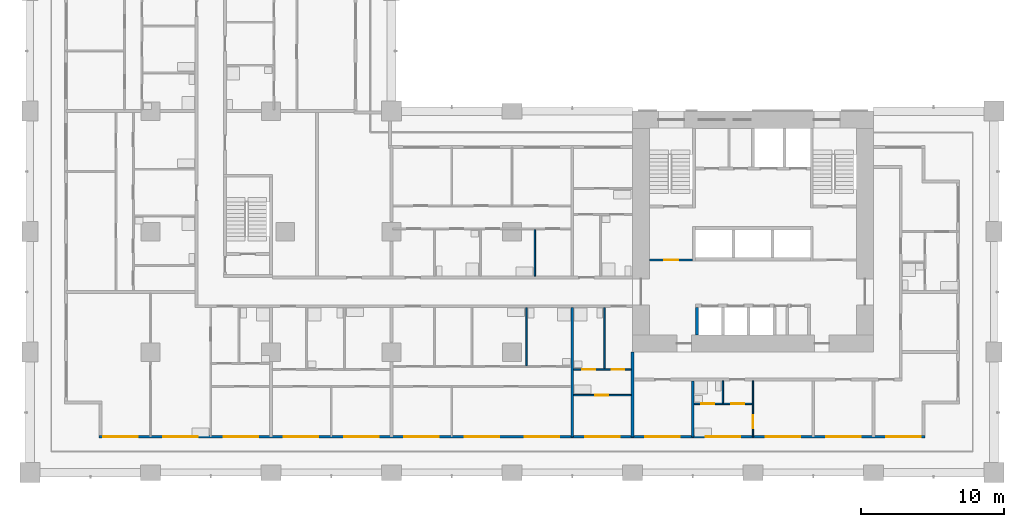
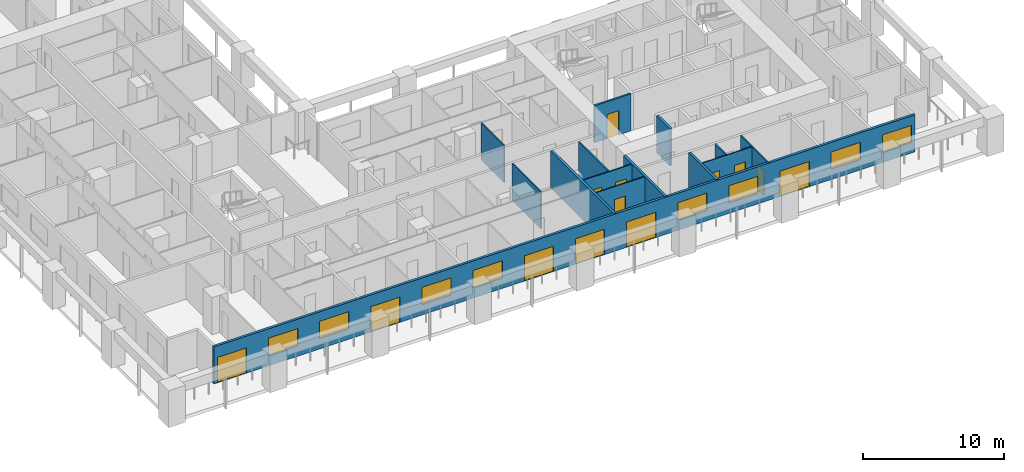
# One storey, part 5 of 19: 14 walls, 13 doors, 8 windows, 21 openings.
"""IFC4 building model written with IfcOpenShell, lengths in metres."""

from ifc_helpers import new_model, si_unit, direction, frame, frame_2d, origin, place, context, subcontext, project, spatial, rectangle, extrude, material, layer, layer_set, type_object, element, fill, save


model = new_model("IFC4")

# Units and contexts
model_context = context("Model", 3, precision=1e-05, world=origin(), true_north=direction((0.0, 1.0)))
body_context = subcontext(model_context, "Body", "Model", "MODEL_VIEW")
ifc_project = project(units=[si_unit("LENGTHUNIT", "METRE"), si_unit("AREAUNIT", "SQUARE_METRE"), si_unit("VOLUMEUNIT", "CUBIC_METRE"), si_unit("PLANEANGLEUNIT", "RADIAN"), si_unit("MASSUNIT", "GRAM", prefix="KILO")], contexts=[model_context])

# Site, building, storey
site_placement = place(None, origin())
site = spatial("IfcSite", under=ifc_project, at=site_placement, CompositionType="ELEMENT")
building_placement = place(site_placement, origin())
building = spatial("IfcBuilding", under=site, at=building_placement, Name="Vermilion Gate Residences", CompositionType="ELEMENT")
storey_placement = place(building_placement, frame((0.0, 0.0, 49.699951171875)))
storey = spatial("IfcBuildingStorey", under=building, at=storey_placement, Name="L11", CompositionType="ELEMENT", Elevation=49.699951171875)

# Wall, opening, door
ifc_material_1 = material(Name="Masonry blockwork", Category="masonry")
ifc_layer_1 = layer(ifc_material_1, 0.14990234375)
ifc_layer_set_1 = layer_set([ifc_layer_1], Name="BLOCKWORK PARTITION 150 EI 120")
wall_type_1 = type_object("IfcWallType", Name="BLOCKWORK PARTITION 150 EI 120", PredefinedType="PARTITIONING", material=ifc_layer_set_1)
wall_1_placement = place(storey_placement, frame((43.199951171875, 14.824951171875, 0.0), z_axis=(0.0, 0.0, 1.0), x_axis=(1.0, 0.0, 0.0)))
wall_1 = element("IfcWall", 1, at=wall_1_placement, inside=storey, type_object=wall_type_1, Name="Core room partition A11-VW-S", PredefinedType="PARTITIONING", context=body_context, shape_type="SweptSolid", body=[
    extrude(rectangle(XDim=3.0, YDim=0.14990234375, at=frame_2d((1.5, 0.0))), origin(), (0.0, 0.0, 1.0), 3.219970703125),
])
opening_1_placement = place(wall_1_placement, frame((1.0, 0.0, 0.0)))
opening_1 = element("IfcOpeningElement", 2, at=opening_1_placement, cuts=wall_1, Name="Opening DK11014", PredefinedType="OPENING", context=body_context, shape_type="SweptSolid", body=[
    extrude(rectangle(XDim=1.0, YDim=2.10009765625, at=frame_2d((0.5, 1.050048828125))), frame((0.0, 0.0849609375, 0.0), z_axis=(0.0, -1.0, 0.0), x_axis=(1.0, 0.0, 0.0)), (0.0, 0.0, 1.0), 0.169921875),
])
ifc_material_2 = material(Name="Steel", Category="steel")
door_type_1 = type_object("IfcDoorType", Name="FIRE DOOR FD60 1000 X 2100", OperationType="SINGLE_SWING_LEFT", PredefinedType="DOOR", material=ifc_material_2)
door_1_placement = place(opening_1_placement, frame((1.0, 0.0, 0.0), z_axis=(0.0, 0.0, 1.0), x_axis=(-1.0, 0.0, 0.0)))
door_1 = element("IfcDoor", 3, at=door_1_placement, inside=storey, type_object=door_type_1, Name="Stair vestibule door A11", OperationType="SINGLE_SWING_RIGHT", OverallHeight=2.10009765625, OverallWidth=1.0, PredefinedType="DOOR", context=body_context, shape_type="SweptSolid", body=[
    extrude(rectangle(XDim=1.0, YDim=2.10009765625, at=frame_2d((0.5, 1.050048828125))), frame((0.0, 0.02490234375, 0.0), z_axis=(0.0, -1.0, 0.0), x_axis=(1.0, 0.0, 0.0)), (0.0, 0.0, 1.0), 0.050048828125),
])
fill(opening_1, door_1)

# Wall, openings, doors, windows
ifc_material_3 = material(Name="Insulated steel stud wall with terracotta rainscreen", Category="masonry")
ifc_layer_2 = layer(ifc_material_3, 0.199951171875)
ifc_layer_set_2 = layer_set([ifc_layer_2], Name="EXTERNAL WALL 200 TERRACOTTA RAINSCREEN")
wall_type_2 = type_object("IfcWallType", Name="EXTERNAL WALL 200 TERRACOTTA RAINSCREEN", PredefinedType="SOLIDWALL", material=ifc_layer_set_2)
wall_2_placement = place(storey_placement, frame((4.800048828125, 2.5, 0.0), z_axis=(0.0, 0.0, 1.0), x_axis=(1.0, 0.0, 0.0)))
wall_2 = element("IfcWall", 4, at=wall_2_placement, inside=storey, type_object=wall_type_2, Name="External wall", PredefinedType="SOLIDWALL", context=body_context, shape_type="SweptSolid", body=[
    extrude(rectangle(XDim=57.599853515625, YDim=0.199951171875, at=frame_2d((28.7998046875, 0.0))), origin(), (0.0, 0.0, 1.0), 3.219970703125),
])
opening_2_placement = place(wall_2_placement, frame((0.300048828125, 0.0, 0.0)))
opening_2 = element("IfcOpeningElement", 5, at=opening_2_placement, cuts=wall_2, Name="Opening DE11014", PredefinedType="OPENING", context=body_context, shape_type="SweptSolid", body=[
    extrude(rectangle(XDim=2.39990234375, YDim=2.199951171875, at=frame_2d((1.199951171875, 1.10009765625))), frame((0.0, 0.10986328125, 0.0), z_axis=(0.0, -1.0, 0.0), x_axis=(1.0, 0.0, 0.0)), (0.0, 0.0, 1.0), 0.219970703125),
])
opening_3_placement = place(wall_2_placement, frame((4.5, 0.0, 0.89990234375)))
opening_3 = element("IfcOpeningElement", 6, at=opening_3_placement, cuts=wall_2, Name="Opening WE11015", PredefinedType="OPENING", context=body_context, shape_type="SweptSolid", body=[
    extrude(rectangle(XDim=2.39990234375, YDim=1.5, at=frame_2d((1.199951171875, 0.75))), frame((0.0, 0.10986328125, 0.0), z_axis=(0.0, -1.0, 0.0), x_axis=(1.0, 0.0, 0.0)), (0.0, 0.0, 1.0), 0.219970703125),
])
opening_4_placement = place(wall_2_placement, frame((8.699951171875, 0.0, 0.89990234375)))
opening_4 = element("IfcOpeningElement", 7, at=opening_4_placement, cuts=wall_2, Name="Opening WE11016", PredefinedType="OPENING", context=body_context, shape_type="SweptSolid", body=[
    extrude(rectangle(XDim=2.39990234375, YDim=1.5, at=frame_2d((1.199951171875, 0.75))), frame((0.0, 0.10986328125, 0.0), z_axis=(0.0, -1.0, 0.0), x_axis=(1.0, 0.0, 0.0)), (0.0, 0.0, 1.0), 0.219970703125),
])
opening_5_placement = place(wall_2_placement, frame((12.89990234375, 0.0, 0.0)))
opening_5 = element("IfcOpeningElement", 8, at=opening_5_placement, cuts=wall_2, Name="Opening DE11017", PredefinedType="OPENING", context=body_context, shape_type="SweptSolid", body=[
    extrude(rectangle(XDim=2.39990234375, YDim=2.199951171875, at=frame_2d((1.199951171875, 1.10009765625))), frame((0.0, 0.10986328125, 0.0), z_axis=(0.0, -1.0, 0.0), x_axis=(1.0, 0.0, 0.0)), (0.0, 0.0, 1.0), 0.219970703125),
])
opening_6_placement = place(wall_2_placement, frame((17.10009765625, 0.0, 0.89990234375)))
opening_6 = element("IfcOpeningElement", 9, at=opening_6_placement, cuts=wall_2, Name="Opening WE11018", PredefinedType="OPENING", context=body_context, shape_type="SweptSolid", body=[
    extrude(rectangle(XDim=2.39990234375, YDim=1.5, at=frame_2d((1.199951171875, 0.75))), frame((0.0, 0.10986328125, 0.0), z_axis=(0.0, -1.0, 0.0), x_axis=(1.0, 0.0, 0.0)), (0.0, 0.0, 1.0), 0.219970703125),
])
opening_7_placement = place(wall_2_placement, frame((21.300048828125, 0.0, 0.89990234375)))
opening_7 = element("IfcOpeningElement", 10, at=opening_7_placement, cuts=wall_2, Name="Opening WE11019", PredefinedType="OPENING", context=body_context, shape_type="SweptSolid", body=[
    extrude(rectangle(XDim=2.39990234375, YDim=1.5, at=frame_2d((1.199951171875, 0.75))), frame((0.0, 0.10986328125, 0.0), z_axis=(0.0, -1.0, 0.0), x_axis=(1.0, 0.0, 0.0)), (0.0, 0.0, 1.0), 0.219970703125),
])
opening_8_placement = place(wall_2_placement, frame((25.5, 0.0, 0.0)))
opening_8 = element("IfcOpeningElement", 11, at=opening_8_placement, cuts=wall_2, Name="Opening DE11020", PredefinedType="OPENING", context=body_context, shape_type="SweptSolid", body=[
    extrude(rectangle(XDim=2.39990234375, YDim=2.199951171875, at=frame_2d((1.199951171875, 1.10009765625))), frame((0.0, 0.10986328125, 0.0), z_axis=(0.0, -1.0, 0.0), x_axis=(1.0, 0.0, 0.0)), (0.0, 0.0, 1.0), 0.219970703125),
])
opening_9_placement = place(wall_2_placement, frame((29.699951171875, 0.0, 0.0)))
opening_9 = element("IfcOpeningElement", 12, at=opening_9_placement, cuts=wall_2, Name="Opening DE11021", PredefinedType="OPENING", context=body_context, shape_type="SweptSolid", body=[
    extrude(rectangle(XDim=2.39990234375, YDim=2.199951171875, at=frame_2d((1.199951171875, 1.10009765625))), frame((0.0, 0.10986328125, 0.0), z_axis=(0.0, -1.0, 0.0), x_axis=(1.0, 0.0, 0.0)), (0.0, 0.0, 1.0), 0.219970703125),
])
opening_10_placement = place(wall_2_placement, frame((33.89990234375, 0.0, 0.0)))
opening_10 = element("IfcOpeningElement", 13, at=opening_10_placement, cuts=wall_2, Name="Opening DE11022", PredefinedType="OPENING", context=body_context, shape_type="SweptSolid", body=[
    extrude(rectangle(XDim=2.39990234375, YDim=2.199951171875, at=frame_2d((1.199951171875, 1.10009765625))), frame((0.0, 0.10986328125, 0.0), z_axis=(0.0, -1.0, 0.0), x_axis=(1.0, 0.0, 0.0)), (0.0, 0.0, 1.0), 0.219970703125),
])
opening_11_placement = place(wall_2_placement, frame((38.10009765625, 0.0, 0.89990234375)))
opening_11 = element("IfcOpeningElement", 14, at=opening_11_placement, cuts=wall_2, Name="Opening WE11023", PredefinedType="OPENING", context=body_context, shape_type="SweptSolid", body=[
    extrude(rectangle(XDim=2.39990234375, YDim=1.5, at=frame_2d((1.199951171875, 0.75))), frame((0.0, 0.10986328125, 0.0), z_axis=(0.0, -1.0, 0.0), x_axis=(1.0, 0.0, 0.0)), (0.0, 0.0, 1.0), 0.219970703125),
])
opening_12_placement = place(wall_2_placement, frame((42.300048828125, 0.0, 0.89990234375)))
opening_12 = element("IfcOpeningElement", 15, at=opening_12_placement, cuts=wall_2, Name="Opening WE11024", PredefinedType="OPENING", context=body_context, shape_type="SweptSolid", body=[
    extrude(rectangle(XDim=2.39990234375, YDim=1.5, at=frame_2d((1.199951171875, 0.75))), frame((0.0, 0.10986328125, 0.0), z_axis=(0.0, -1.0, 0.0), x_axis=(1.0, 0.0, 0.0)), (0.0, 0.0, 1.0), 0.219970703125),
])
opening_13_placement = place(wall_2_placement, frame((46.5, 0.0, 0.0)))
opening_13 = element("IfcOpeningElement", 16, at=opening_13_placement, cuts=wall_2, Name="Opening DE11025", PredefinedType="OPENING", context=body_context, shape_type="SweptSolid", body=[
    extrude(rectangle(XDim=2.39990234375, YDim=2.199951171875, at=frame_2d((1.199951171875, 1.10009765625))), frame((0.0, 0.10986328125, 0.0), z_axis=(0.0, -1.0, 0.0), x_axis=(1.0, 0.0, 0.0)), (0.0, 0.0, 1.0), 0.219970703125),
])
opening_14_placement = place(wall_2_placement, frame((50.699951171875, 0.0, 0.89990234375)))
opening_14 = element("IfcOpeningElement", 17, at=opening_14_placement, cuts=wall_2, Name="Opening WE11026", PredefinedType="OPENING", context=body_context, shape_type="SweptSolid", body=[
    extrude(rectangle(XDim=2.39990234375, YDim=1.5, at=frame_2d((1.199951171875, 0.75))), frame((0.0, 0.10986328125, 0.0), z_axis=(0.0, -1.0, 0.0), x_axis=(1.0, 0.0, 0.0)), (0.0, 0.0, 1.0), 0.219970703125),
])
opening_15_placement = place(wall_2_placement, frame((54.89990234375, 0.0, 0.89990234375)))
opening_15 = element("IfcOpeningElement", 18, at=opening_15_placement, cuts=wall_2, Name="Opening WE11027", PredefinedType="OPENING", context=body_context, shape_type="SweptSolid", body=[
    extrude(rectangle(XDim=2.39990234375, YDim=1.5, at=frame_2d((1.199951171875, 0.75))), frame((0.0, 0.10986328125, 0.0), z_axis=(0.0, -1.0, 0.0), x_axis=(1.0, 0.0, 0.0)), (0.0, 0.0, 1.0), 0.219970703125),
])
ifc_material_4 = material(Name="Aluminium and clear glass", Category="aluminium")
door_type_2 = type_object("IfcDoorType", Name="SLIDING GLAZED DOOR 2400 X 2200", OperationType="DOUBLE_DOOR_SLIDING", PredefinedType="DOOR", material=ifc_material_4)
door_2_placement = place(opening_2_placement, origin())
door_2 = element("IfcDoor", 19, at=door_2_placement, inside=storey, type_object=door_type_2, Name="Loggia sliding door", OperationType="DOUBLE_DOOR_SLIDING", OverallHeight=2.199951171875, OverallWidth=2.39990234375, PredefinedType="DOOR", context=body_context, shape_type="SweptSolid", body=[
    extrude(rectangle(XDim=2.39990234375, YDim=2.199951171875, at=frame_2d((1.199951171875, 1.10009765625))), frame((0.0, 0.02490234375, 0.0), z_axis=(0.0, -1.0, 0.0), x_axis=(1.0, 0.0, 0.0)), (0.0, 0.0, 1.0), 0.050048828125),
])
fill(opening_2, door_2)
door_3_placement = place(opening_5_placement, origin())
door_3 = element("IfcDoor", 20, at=door_3_placement, inside=storey, type_object=door_type_2, Name="Loggia sliding door", OperationType="DOUBLE_DOOR_SLIDING", OverallHeight=2.199951171875, OverallWidth=2.39990234375, PredefinedType="DOOR", context=body_context, shape_type="SweptSolid", body=[
    extrude(rectangle(XDim=2.39990234375, YDim=2.199951171875, at=frame_2d((1.199951171875, 1.10009765625))), frame((0.0, 0.02490234375, 0.0), z_axis=(0.0, -1.0, 0.0), x_axis=(1.0, 0.0, 0.0)), (0.0, 0.0, 1.0), 0.050048828125),
])
fill(opening_5, door_3)
door_4_placement = place(opening_8_placement, origin())
door_4 = element("IfcDoor", 21, at=door_4_placement, inside=storey, type_object=door_type_2, Name="Loggia sliding door", OperationType="DOUBLE_DOOR_SLIDING", OverallHeight=2.199951171875, OverallWidth=2.39990234375, PredefinedType="DOOR", context=body_context, shape_type="SweptSolid", body=[
    extrude(rectangle(XDim=2.39990234375, YDim=2.199951171875, at=frame_2d((1.199951171875, 1.10009765625))), frame((0.0, 0.02490234375, 0.0), z_axis=(0.0, -1.0, 0.0), x_axis=(1.0, 0.0, 0.0)), (0.0, 0.0, 1.0), 0.050048828125),
])
fill(opening_8, door_4)
door_5_placement = place(opening_9_placement, origin())
door_5 = element("IfcDoor", 22, at=door_5_placement, inside=storey, type_object=door_type_2, Name="Loggia sliding door", OperationType="DOUBLE_DOOR_SLIDING", OverallHeight=2.199951171875, OverallWidth=2.39990234375, PredefinedType="DOOR", context=body_context, shape_type="SweptSolid", body=[
    extrude(rectangle(XDim=2.39990234375, YDim=2.199951171875, at=frame_2d((1.199951171875, 1.10009765625))), frame((0.0, 0.02490234375, 0.0), z_axis=(0.0, -1.0, 0.0), x_axis=(1.0, 0.0, 0.0)), (0.0, 0.0, 1.0), 0.050048828125),
])
fill(opening_9, door_5)
door_6_placement = place(opening_10_placement, origin())
door_6 = element("IfcDoor", 23, at=door_6_placement, inside=storey, type_object=door_type_2, Name="Loggia sliding door", OperationType="DOUBLE_DOOR_SLIDING", OverallHeight=2.199951171875, OverallWidth=2.39990234375, PredefinedType="DOOR", context=body_context, shape_type="SweptSolid", body=[
    extrude(rectangle(XDim=2.39990234375, YDim=2.199951171875, at=frame_2d((1.199951171875, 1.10009765625))), frame((0.0, 0.02490234375, 0.0), z_axis=(0.0, -1.0, 0.0), x_axis=(1.0, 0.0, 0.0)), (0.0, 0.0, 1.0), 0.050048828125),
])
fill(opening_10, door_6)
door_7_placement = place(opening_13_placement, origin())
door_7 = element("IfcDoor", 24, at=door_7_placement, inside=storey, type_object=door_type_2, Name="Loggia sliding door", OperationType="DOUBLE_DOOR_SLIDING", OverallHeight=2.199951171875, OverallWidth=2.39990234375, PredefinedType="DOOR", context=body_context, shape_type="SweptSolid", body=[
    extrude(rectangle(XDim=2.39990234375, YDim=2.199951171875, at=frame_2d((1.199951171875, 1.10009765625))), frame((0.0, 0.02490234375, 0.0), z_axis=(0.0, -1.0, 0.0), x_axis=(1.0, 0.0, 0.0)), (0.0, 0.0, 1.0), 0.050048828125),
])
fill(opening_13, door_7)
ifc_material_5 = material(Name="Aluminium and clear glass", Category="aluminium")
window_type = type_object("IfcWindowType", Name="WINDOW 2400 X 1500", PartitioningType="SINGLE_PANEL", PredefinedType="WINDOW", material=ifc_material_5)
window_1_placement = place(opening_3_placement, origin())
window_1 = element("IfcWindow", 25, at=window_1_placement, inside=storey, type_object=window_type, Name="Window", OverallHeight=1.5, OverallWidth=2.39990234375, PartitioningType="SINGLE_PANEL", PredefinedType="WINDOW", context=body_context, shape_type="SweptSolid", body=[
    extrude(rectangle(XDim=2.39990234375, YDim=1.5, at=frame_2d((1.199951171875, 0.75))), frame((0.0, 0.030029296875, 0.0), z_axis=(0.0, -1.0, 0.0), x_axis=(1.0, 0.0, 0.0)), (0.0, 0.0, 1.0), 0.06005859375),
])
fill(opening_3, window_1)
window_2_placement = place(opening_4_placement, origin())
window_2 = element("IfcWindow", 26, at=window_2_placement, inside=storey, type_object=window_type, Name="Window", OverallHeight=1.5, OverallWidth=2.39990234375, PartitioningType="SINGLE_PANEL", PredefinedType="WINDOW", context=body_context, shape_type="SweptSolid", body=[
    extrude(rectangle(XDim=2.39990234375, YDim=1.5, at=frame_2d((1.199951171875, 0.75))), frame((0.0, 0.030029296875, 0.0), z_axis=(0.0, -1.0, 0.0), x_axis=(1.0, 0.0, 0.0)), (0.0, 0.0, 1.0), 0.06005859375),
])
fill(opening_4, window_2)
window_3_placement = place(opening_6_placement, origin())
window_3 = element("IfcWindow", 27, at=window_3_placement, inside=storey, type_object=window_type, Name="Window", OverallHeight=1.5, OverallWidth=2.39990234375, PartitioningType="SINGLE_PANEL", PredefinedType="WINDOW", context=body_context, shape_type="SweptSolid", body=[
    extrude(rectangle(XDim=2.39990234375, YDim=1.5, at=frame_2d((1.199951171875, 0.75))), frame((0.0, 0.030029296875, 0.0), z_axis=(0.0, -1.0, 0.0), x_axis=(1.0, 0.0, 0.0)), (0.0, 0.0, 1.0), 0.06005859375),
])
fill(opening_6, window_3)
window_4_placement = place(opening_7_placement, origin())
window_4 = element("IfcWindow", 28, at=window_4_placement, inside=storey, type_object=window_type, Name="Window", OverallHeight=1.5, OverallWidth=2.39990234375, PartitioningType="SINGLE_PANEL", PredefinedType="WINDOW", context=body_context, shape_type="SweptSolid", body=[
    extrude(rectangle(XDim=2.39990234375, YDim=1.5, at=frame_2d((1.199951171875, 0.75))), frame((0.0, 0.030029296875, 0.0), z_axis=(0.0, -1.0, 0.0), x_axis=(1.0, 0.0, 0.0)), (0.0, 0.0, 1.0), 0.06005859375),
])
fill(opening_7, window_4)
window_5_placement = place(opening_11_placement, origin())
window_5 = element("IfcWindow", 29, at=window_5_placement, inside=storey, type_object=window_type, Name="Window", OverallHeight=1.5, OverallWidth=2.39990234375, PartitioningType="SINGLE_PANEL", PredefinedType="WINDOW", context=body_context, shape_type="SweptSolid", body=[
    extrude(rectangle(XDim=2.39990234375, YDim=1.5, at=frame_2d((1.199951171875, 0.75))), frame((0.0, 0.030029296875, 0.0), z_axis=(0.0, -1.0, 0.0), x_axis=(1.0, 0.0, 0.0)), (0.0, 0.0, 1.0), 0.06005859375),
])
fill(opening_11, window_5)
window_6_placement = place(opening_12_placement, origin())
window_6 = element("IfcWindow", 30, at=window_6_placement, inside=storey, type_object=window_type, Name="Window", OverallHeight=1.5, OverallWidth=2.39990234375, PartitioningType="SINGLE_PANEL", PredefinedType="WINDOW", context=body_context, shape_type="SweptSolid", body=[
    extrude(rectangle(XDim=2.39990234375, YDim=1.5, at=frame_2d((1.199951171875, 0.75))), frame((0.0, 0.030029296875, 0.0), z_axis=(0.0, -1.0, 0.0), x_axis=(1.0, 0.0, 0.0)), (0.0, 0.0, 1.0), 0.06005859375),
])
fill(opening_12, window_6)
window_7_placement = place(opening_14_placement, origin())
window_7 = element("IfcWindow", 31, at=window_7_placement, inside=storey, type_object=window_type, Name="Window", OverallHeight=1.5, OverallWidth=2.39990234375, PartitioningType="SINGLE_PANEL", PredefinedType="WINDOW", context=body_context, shape_type="SweptSolid", body=[
    extrude(rectangle(XDim=2.39990234375, YDim=1.5, at=frame_2d((1.199951171875, 0.75))), frame((0.0, 0.030029296875, 0.0), z_axis=(0.0, -1.0, 0.0), x_axis=(1.0, 0.0, 0.0)), (0.0, 0.0, 1.0), 0.06005859375),
])
fill(opening_14, window_7)
window_8_placement = place(opening_15_placement, origin())
window_8 = element("IfcWindow", 32, at=window_8_placement, inside=storey, type_object=window_type, Name="Window", OverallHeight=1.5, OverallWidth=2.39990234375, PartitioningType="SINGLE_PANEL", PredefinedType="WINDOW", context=body_context, shape_type="SweptSolid", body=[
    extrude(rectangle(XDim=2.39990234375, YDim=1.5, at=frame_2d((1.199951171875, 0.75))), frame((0.0, 0.030029296875, 0.0), z_axis=(0.0, -1.0, 0.0), x_axis=(1.0, 0.0, 0.0)), (0.0, 0.0, 1.0), 0.06005859375),
])
fill(opening_15, window_8)

# Wall, openings, doors
ifc_material_6 = material(Name="Plasterboard on steel studs", Category="steel")
ifc_layer_3 = layer(ifc_material_6, 0.10009765625)
ifc_layer_set_3 = layer_set([ifc_layer_3], Name="PARTITION 100")
wall_type_3 = type_object("IfcWallType", Name="PARTITION 100", PredefinedType="PARTITIONING", material=ifc_layer_set_3)
wall_3_placement = place(storey_placement, frame((46.300048828125, 4.800048828125, 0.0), z_axis=(0.0, 0.0, 1.0), x_axis=(1.0, 0.0, 0.0)))
wall_3 = element("IfcWall", 33, at=wall_3_placement, inside=storey, type_object=wall_type_3, Name="Partition", PredefinedType="PARTITIONING", context=body_context, shape_type="SweptSolid", body=[
    extrude(rectangle(XDim=4.050048828125, YDim=0.10009765625, at=frame_2d((2.02490234375, 0.0))), origin(), (0.0, 0.0, 1.0), 3.219970703125),
])
opening_16_placement = place(wall_3_placement, frame((2.60009765625, 0.0, 0.0)))
opening_16 = element("IfcOpeningElement", 34, at=opening_16_placement, cuts=wall_3, Name="Opening DA10001", PredefinedType="OPENING", context=body_context, shape_type="SweptSolid", body=[
    extrude(rectangle(XDim=0.89990234375, YDim=2.10009765625, at=frame_2d((0.449951171875, 1.050048828125))), frame((0.0, 0.06005859375, 0.0), z_axis=(0.0, -1.0, 0.0), x_axis=(1.0, 0.0, 0.0)), (0.0, 0.0, 1.0), 0.1201171875),
])
opening_17_placement = place(wall_3_placement, frame((0.5, 0.0, 0.0)))
opening_17 = element("IfcOpeningElement", 35, at=opening_17_placement, cuts=wall_3, Name="Opening DA10002", PredefinedType="OPENING", context=body_context, shape_type="SweptSolid", body=[
    extrude(rectangle(XDim=0.89990234375, YDim=2.10009765625, at=frame_2d((0.449951171875, 1.050048828125))), frame((0.0, 0.06005859375, 0.0), z_axis=(0.0, -1.0, 0.0), x_axis=(1.0, 0.0, 0.0)), (0.0, 0.0, 1.0), 0.1201171875),
])
ifc_material_7 = material(Name="Timber", Category="wood")
door_type_3 = type_object("IfcDoorType", Name="INTERIOR DOOR 900 X 2100", OperationType="SINGLE_SWING_LEFT", PredefinedType="DOOR", material=ifc_material_7)
door_8_placement = place(opening_16_placement, frame((0.89990234375, 0.0, 0.0), z_axis=(0.0, 0.0, 1.0), x_axis=(-1.0, 0.0, 0.0)))
door_8 = element("IfcDoor", 36, at=door_8_placement, inside=storey, type_object=door_type_3, Name="Interior door", OperationType="SINGLE_SWING_LEFT", OverallHeight=2.10009765625, OverallWidth=0.89990234375, PredefinedType="DOOR", context=body_context, shape_type="SweptSolid", body=[
    extrude(rectangle(XDim=0.89990234375, YDim=2.10009765625, at=frame_2d((0.449951171875, 1.050048828125))), frame((0.0, 0.02490234375, 0.0), z_axis=(0.0, -1.0, 0.0), x_axis=(1.0, 0.0, 0.0)), (0.0, 0.0, 1.0), 0.050048828125),
])
fill(opening_16, door_8)
door_9_placement = place(opening_17_placement, origin())
door_9 = element("IfcDoor", 37, at=door_9_placement, inside=storey, type_object=door_type_3, Name="Interior door", OperationType="SINGLE_SWING_RIGHT", OverallHeight=2.10009765625, OverallWidth=0.89990234375, PredefinedType="DOOR", context=body_context, shape_type="SweptSolid", body=[
    extrude(rectangle(XDim=0.89990234375, YDim=2.10009765625, at=frame_2d((0.449951171875, 1.050048828125))), frame((0.0, 0.02490234375, 0.0), z_axis=(0.0, -1.0, 0.0), x_axis=(1.0, 0.0, 0.0)), (0.0, 0.0, 1.0), 0.050048828125),
])
fill(opening_17, door_9)

# Wall, opening, door
wall_4_placement = place(storey_placement, frame((37.89990234375, 5.39990234375, 0.0), z_axis=(0.0, 0.0, 1.0), x_axis=(1.0, 0.0, 0.0)))
wall_4 = element("IfcWall", 38, at=wall_4_placement, inside=storey, type_object=wall_type_3, Name="Partition", PredefinedType="PARTITIONING", context=body_context, shape_type="SweptSolid", body=[
    extrude(rectangle(XDim=4.0, YDim=0.10009765625, at=frame_2d((2.0, 0.0))), origin(), (0.0, 0.0, 1.0), 3.219970703125),
])
opening_18_placement = place(wall_4_placement, frame((1.5, 0.0, 0.0)))
opening_18 = element("IfcOpeningElement", 39, at=opening_18_placement, cuts=wall_4, Name="Opening DA10003", PredefinedType="OPENING", context=body_context, shape_type="SweptSolid", body=[
    extrude(rectangle(XDim=0.89990234375, YDim=2.10009765625, at=frame_2d((0.449951171875, 1.050048828125))), frame((0.0, 0.06005859375, 0.0), z_axis=(0.0, -1.0, 0.0), x_axis=(1.0, 0.0, 0.0)), (0.0, 0.0, 1.0), 0.1201171875),
])
door_10_placement = place(opening_18_placement, origin())
door_10 = element("IfcDoor", 40, at=door_10_placement, inside=storey, type_object=door_type_3, Name="Interior door", OperationType="SINGLE_SWING_LEFT", OverallHeight=2.10009765625, OverallWidth=0.89990234375, PredefinedType="DOOR", context=body_context, shape_type="SweptSolid", body=[
    extrude(rectangle(XDim=0.89990234375, YDim=2.10009765625, at=frame_2d((0.449951171875, 1.050048828125))), frame((0.0, 0.02490234375, 0.0), z_axis=(0.0, -1.0, 0.0), x_axis=(1.0, 0.0, 0.0)), (0.0, 0.0, 1.0), 0.050048828125),
])
fill(opening_18, door_10)

# Wall, openings, doors
wall_5_placement = place(storey_placement, frame((37.89990234375, 7.199951171875, 0.0), z_axis=(0.0, 0.0, 1.0), x_axis=(1.0, 0.0, 0.0)))
wall_5 = element("IfcWall", 41, at=wall_5_placement, inside=storey, type_object=wall_type_3, Name="Partition", PredefinedType="PARTITIONING", context=body_context, shape_type="SweptSolid", body=[
    extrude(rectangle(XDim=4.0, YDim=0.10009765625, at=frame_2d((2.0, 0.0))), origin(), (0.0, 0.0, 1.0), 3.219970703125),
])
opening_19_placement = place(wall_5_placement, frame((2.639892578125, 0.0, 0.0)))
opening_19 = element("IfcOpeningElement", 42, at=opening_19_placement, cuts=wall_5, Name="Opening DA10016", PredefinedType="OPENING", context=body_context, shape_type="SweptSolid", body=[
    extrude(rectangle(XDim=0.89990234375, YDim=2.10009765625, at=frame_2d((0.449951171875, 1.050048828125))), frame((0.0, 0.06005859375, 0.0), z_axis=(0.0, -1.0, 0.0), x_axis=(1.0, 0.0, 0.0)), (0.0, 0.0, 1.0), 0.1201171875),
])
opening_20_placement = place(wall_5_placement, frame((0.60009765625, 0.0, 0.0)))
opening_20 = element("IfcOpeningElement", 43, at=opening_20_placement, cuts=wall_5, Name="Opening DA10017", PredefinedType="OPENING", context=body_context, shape_type="SweptSolid", body=[
    extrude(rectangle(XDim=0.89990234375, YDim=2.10009765625, at=frame_2d((0.449951171875, 1.050048828125))), frame((0.0, 0.06005859375, 0.0), z_axis=(0.0, -1.0, 0.0), x_axis=(1.0, 0.0, 0.0)), (0.0, 0.0, 1.0), 0.1201171875),
])
door_11_placement = place(opening_19_placement, frame((0.89990234375, 0.0, 0.0), z_axis=(0.0, 0.0, 1.0), x_axis=(-1.0, 0.0, 0.0)))
door_11 = element("IfcDoor", 44, at=door_11_placement, inside=storey, type_object=door_type_3, Name="Interior door", OperationType="SINGLE_SWING_LEFT", OverallHeight=2.10009765625, OverallWidth=0.89990234375, PredefinedType="DOOR", context=body_context, shape_type="SweptSolid", body=[
    extrude(rectangle(XDim=0.89990234375, YDim=2.10009765625, at=frame_2d((0.449951171875, 1.050048828125))), frame((0.0, 0.02490234375, 0.0), z_axis=(0.0, -1.0, 0.0), x_axis=(1.0, 0.0, 0.0)), (0.0, 0.0, 1.0), 0.050048828125),
])
fill(opening_19, door_11)
door_12_placement = place(opening_20_placement, frame((0.89990234375, 0.0, 0.0), z_axis=(0.0, 0.0, 1.0), x_axis=(-1.0, 0.0, 0.0)))
door_12 = element("IfcDoor", 45, at=door_12_placement, inside=storey, type_object=door_type_3, Name="Interior door", OperationType="SINGLE_SWING_RIGHT", OverallHeight=2.10009765625, OverallWidth=0.89990234375, PredefinedType="DOOR", context=body_context, shape_type="SweptSolid", body=[
    extrude(rectangle(XDim=0.89990234375, YDim=2.10009765625, at=frame_2d((0.449951171875, 1.050048828125))), frame((0.0, 0.02490234375, 0.0), z_axis=(0.0, -1.0, 0.0), x_axis=(1.0, 0.0, 0.0)), (0.0, 0.0, 1.0), 0.050048828125),
])
fill(opening_20, door_12)

# Walls
wall_6_placement = place(storey_placement, frame((34.60009765625, 7.449951171875, 0.0), z_axis=(0.0, 0.0, 1.0), x_axis=(0.0, 1.0, 0.0)))
element("IfcWall", 46, at=wall_6_placement, inside=storey, type_object=wall_type_3, Name="Partition", PredefinedType="PARTITIONING", context=body_context, shape_type="SweptSolid", body=[
    extrude(rectangle(XDim=4.050048828125, YDim=0.10009765625, at=frame_2d((2.02490234375, 0.0))), origin(), (0.0, 0.0, 1.0), 3.219970703125),
])
wall_7_placement = place(storey_placement, frame((35.199951171875, 13.699951171875, 0.0), z_axis=(0.0, 0.0, 1.0), x_axis=(0.0, 1.0, 0.0)))
element("IfcWall", 47, at=wall_7_placement, inside=storey, type_object=wall_type_3, Name="Partition", PredefinedType="PARTITIONING", context=body_context, shape_type="SweptSolid", body=[
    extrude(rectangle(XDim=3.25, YDim=0.10009765625, at=frame_2d((1.625, 0.0))), origin(), (0.0, 0.0, 1.0), 3.219970703125),
])
wall_8_placement = place(storey_placement, frame((40.0400390625, 7.25, 0.0), z_axis=(0.0, 0.0, 1.0), x_axis=(0.0, 1.0, 0.0)))
element("IfcWall", 48, at=wall_8_placement, inside=storey, type_object=wall_type_3, Name="Partition", PredefinedType="PARTITIONING", context=body_context, shape_type="SweptSolid", body=[
    extrude(rectangle(XDim=4.25, YDim=0.10009765625, at=frame_2d((2.125, 0.0))), origin(), (0.0, 0.0, 1.0), 3.219970703125),
])
wall_9_placement = place(storey_placement, frame((48.300048828125, 4.85009765625, 0.0), z_axis=(0.0, 0.0, 1.0), x_axis=(0.0, 1.0, 0.0)))
element("IfcWall", 49, at=wall_9_placement, inside=storey, type_object=wall_type_3, Name="Partition", PredefinedType="PARTITIONING", context=body_context, shape_type="SweptSolid", body=[
    extrude(rectangle(XDim=1.5498046875, YDim=0.10009765625, at=frame_2d((0.77490234375, 0.0))), origin(), (0.0, 0.0, 1.0), 3.219970703125),
])

# Wall, opening, door
wall_10_placement = place(storey_placement, frame((50.39990234375, 2.5, 0.0), z_axis=(0.0, 0.0, 1.0), x_axis=(0.0, 1.0, 0.0)))
wall_10 = element("IfcWall", 50, at=wall_10_placement, inside=storey, type_object=wall_type_3, Name="Partition", PredefinedType="PARTITIONING", context=body_context, shape_type="SweptSolid", body=[
    extrude(rectangle(XDim=3.89990234375, YDim=0.10009765625, at=frame_2d((1.949951171875, 0.0))), origin(), (0.0, 0.0, 1.0), 3.219970703125),
])
opening_21_placement = place(wall_10_placement, frame((0.60009765625, 0.0, 0.0)))
opening_21 = element("IfcOpeningElement", 51, at=opening_21_placement, cuts=wall_10, Name="Opening DA10080", PredefinedType="OPENING", context=body_context, shape_type="SweptSolid", body=[
    extrude(rectangle(XDim=0.89990234375, YDim=2.10009765625, at=frame_2d((0.449951171875, 1.050048828125))), frame((0.0, 0.06005859375, 0.0), z_axis=(0.0, -1.0, 0.0), x_axis=(1.0, 0.0, 0.0)), (0.0, 0.0, 1.0), 0.1201171875),
])
door_13_placement = place(opening_21_placement, origin())
door_13 = element("IfcDoor", 52, at=door_13_placement, inside=storey, type_object=door_type_3, Name="Interior door", OperationType="SINGLE_SWING_LEFT", OverallHeight=2.10009765625, OverallWidth=0.89990234375, PredefinedType="DOOR", context=body_context, shape_type="SweptSolid", body=[
    extrude(rectangle(XDim=0.89990234375, YDim=2.10009765625, at=frame_2d((0.449951171875, 1.050048828125))), frame((0.0, 0.02490234375, 0.0), z_axis=(0.0, -1.0, 0.0), x_axis=(1.0, 0.0, 0.0)), (0.0, 0.0, 1.0), 0.050048828125),
])
fill(opening_21, door_13)

# Walls
ifc_material_8 = material(Name="Fire-rated plasterboard on steel studs", Category="steel")
ifc_layer_4 = layer(ifc_material_8, 0.199951171875)
ifc_layer_set_4 = layer_set([ifc_layer_4], Name="PARTY WALL 200 EI 120")
wall_type_4 = type_object("IfcWallType", Name="PARTY WALL 200 EI 120", PredefinedType="PARTITIONING", material=ifc_layer_set_4)
wall_11_placement = place(storey_placement, frame((37.800048828125, 2.5, 0.0), z_axis=(0.0, 0.0, 1.0), x_axis=(0.0, 1.0, 0.0)))
element("IfcWall", 53, at=wall_11_placement, inside=storey, type_object=wall_type_4, Name="Party and corridor wall", PredefinedType="PARTITIONING", context=body_context, shape_type="SweptSolid", body=[
    extrude(rectangle(XDim=9.0, YDim=0.199951171875, at=frame_2d((4.5, 0.0))), origin(), (0.0, 0.0, 1.0), 3.219970703125),
])
wall_12_placement = place(storey_placement, frame((42.0, 2.5, 0.0), z_axis=(0.0, 0.0, 1.0), x_axis=(0.0, 1.0, 0.0)))
element("IfcWall", 54, at=wall_12_placement, inside=storey, type_object=wall_type_4, Name="Party and corridor wall", PredefinedType="PARTITIONING", context=body_context, shape_type="SweptSolid", body=[
    extrude(rectangle(XDim=5.89990234375, YDim=0.199951171875, at=frame_2d((2.949951171875, 0.0))), origin(), (0.0, 0.0, 1.0), 3.219970703125),
])
wall_13_placement = place(storey_placement, frame((46.199951171875, 2.5, 0.0), z_axis=(0.0, 0.0, 1.0), x_axis=(0.0, 1.0, 0.0)))
element("IfcWall", 55, at=wall_13_placement, inside=storey, type_object=wall_type_4, Name="Party and corridor wall", PredefinedType="PARTITIONING", context=body_context, shape_type="SweptSolid", body=[
    extrude(rectangle(XDim=3.89990234375, YDim=0.199951171875, at=frame_2d((1.949951171875, 0.0))), origin(), (0.0, 0.0, 1.0), 3.219970703125),
])
ifc_material_9 = material(Name="Concrete C60", Category="concrete")
ifc_layer_5 = layer(ifc_material_9, 0.199951171875)
ifc_layer_set_5 = layer_set([ifc_layer_5], Name="RC CORE INTERNAL WALL 200 C60")
wall_type_5 = type_object("IfcWallType", Name="RC CORE INTERNAL WALL 200 C60", PredefinedType="SHEAR", material=ifc_layer_set_5)
wall_14_placement = place(storey_placement, frame((46.5, 9.60009765625, 0.0), z_axis=(0.0, 0.0, 1.0), x_axis=(0.0, 1.0, 0.0)))
element("IfcWall", 56, at=wall_14_placement, inside=storey, type_object=wall_type_5, Name="Core internal wall A11-LR-D0", PredefinedType="SHEAR", context=body_context, shape_type="SweptSolid", body=[
    extrude(rectangle(XDim=1.89990234375, YDim=0.199951171875, at=frame_2d((0.949951171875, 0.0))), origin(), (0.0, 0.0, 1.0), 3.219970703125),
])

save(model, "model.ifc")
